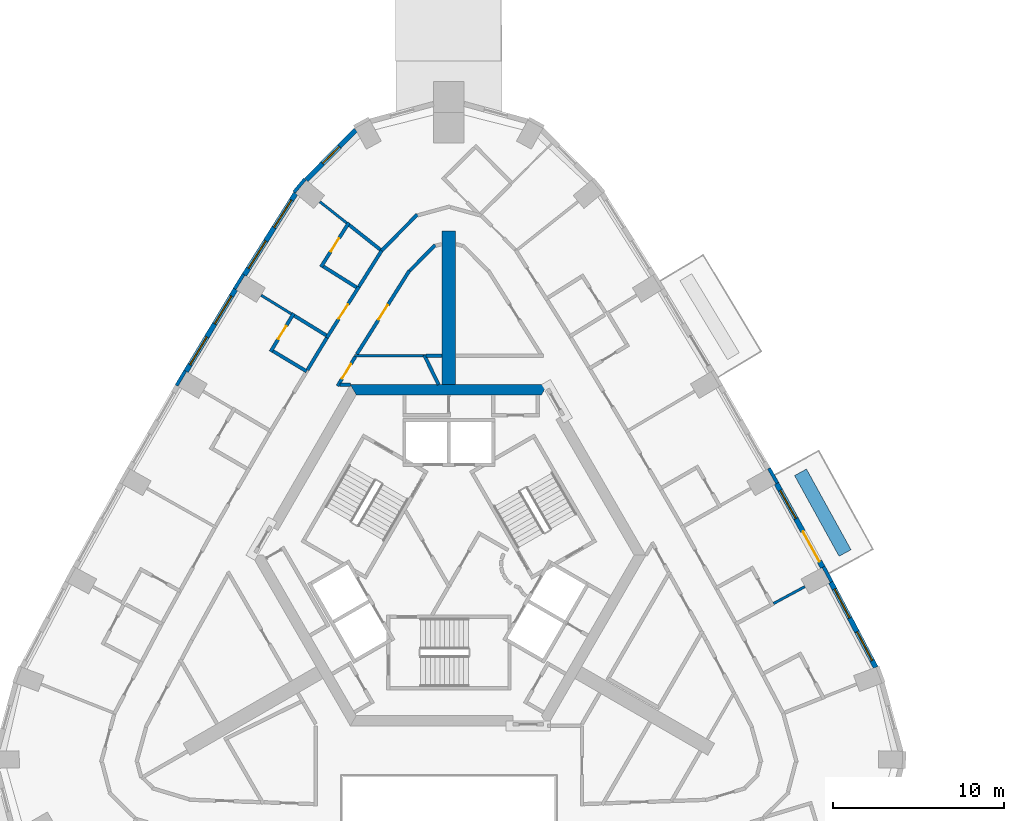
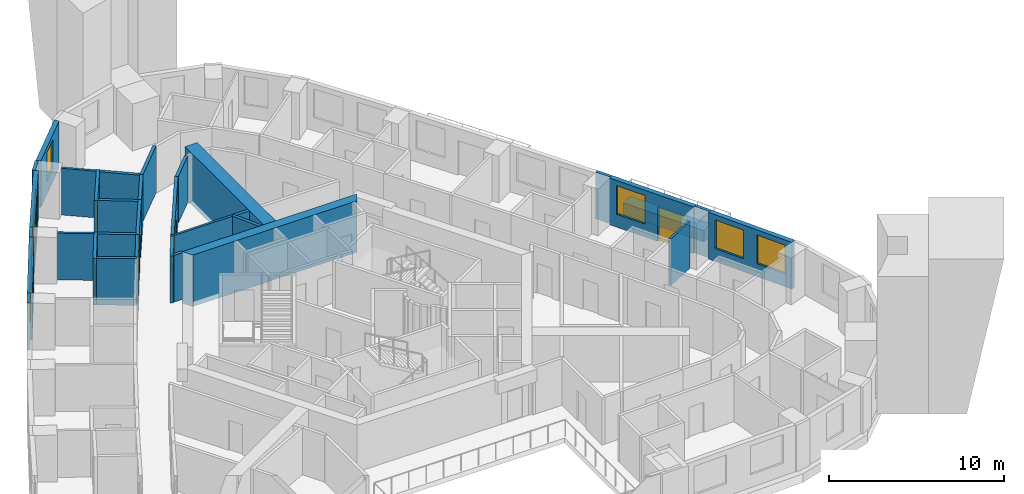
# One storey, part 9 of 14: 33 walls, 8 windows, 6 doors, 14 openings.
"""IFC4 building model written with IfcOpenShell, lengths in metres."""

from ifc_helpers import new_model, si_unit, direction, frame, frame_2d, origin, place, context, subcontext, project, spatial, polyline, rectangle, outline, extrude, material, layer, layer_set, type_object, element, fill, save


model = new_model("IFC4")

# Units and contexts
model_context = context("Model", 3, precision=1e-05, world=origin(), true_north=direction((0.0, 1.0)))
body_context = subcontext(model_context, "Body", "Model", "MODEL_VIEW")
ifc_project = project(units=[si_unit("LENGTHUNIT", "METRE"), si_unit("AREAUNIT", "SQUARE_METRE"), si_unit("VOLUMEUNIT", "CUBIC_METRE"), si_unit("PLANEANGLEUNIT", "RADIAN"), si_unit("MASSUNIT", "GRAM", prefix="KILO")], contexts=[model_context])

# Site, building, storey
site_placement = place(None, origin())
site = spatial("IfcSite", under=ifc_project, at=site_placement, CompositionType="ELEMENT")
building_placement = place(site_placement, origin())
building = spatial("IfcBuilding", under=site, at=building_placement, Name="Entoto Arch Interchange Tower", CompositionType="ELEMENT")
storey_placement = place(building_placement, frame((0.0, 0.0, 252.199951171875)))
storey = spatial("IfcBuildingStorey", under=building, at=storey_placement, Name="L57", CompositionType="ELEMENT", Elevation=252.199951171875)

# Walls
ifc_material_1 = material(Name="Concrete C40/50", Category="concrete")
ifc_layer_1 = layer(ifc_material_1, 0.800048828125)
ifc_layer_set_1 = layer_set([ifc_layer_1], Name="Concrete C40/50")
wall_type_1 = type_object("IfcWallType", Name="Buttress wall 800 C40/50", PredefinedType="SHEAR", material=ifc_layer_set_1)
wall_1_placement = place(storey_placement, frame((0.0, 12.5, -0.33984375), z_axis=(0.0, 0.0, 1.0), x_axis=(0.0, 1.0, 0.0)))
element("IfcWall", 1, at=wall_1_placement, inside=storey, type_object=wall_type_1, Name="Buttress wall N L57", PredefinedType="SHEAR", context=body_context, shape_type="SweptSolid", body=[
    extrude(rectangle(XDim=9.0, YDim=0.800048828125, at=frame_2d((4.5, 0.0))), origin(), (0.0, 0.0, 1.0), 3.599853515625),
])
ifc_layer_2 = layer(ifc_material_1, 0.60009765625)
ifc_layer_set_2 = layer_set([ifc_layer_2], Name="Concrete C40/50")
wall_type_2 = type_object("IfcWallType", Name="Core wall 600 C40/50", PredefinedType="SHEAR", material=ifc_layer_set_2)
wall_2_placement = place(storey_placement, frame((0.0, 0.0, -0.33984375)))
element("IfcWall", 2, at=wall_2_placement, inside=storey, type_object=wall_type_2, Name="Core wall N L57", PredefinedType="SHEAR", context=body_context, shape_type="SweptSolid", body=[
    extrude(outline(polyline([(5.77392578125, 12.5), (-5.77392578125, 12.5), (-5.427001953125, 11.89990234375), (5.427001953125, 11.89990234375), (5.77392578125, 12.5)])), origin(), (0.0, 0.0, 1.0), 3.599853515625),
])
ifc_material_2 = material(Name="Gypsum board partition on steel studs", Category="steel")
ifc_layer_3 = layer(ifc_material_2, 0.14990234375)
ifc_layer_set_3 = layer_set([ifc_layer_3], Name="Gypsum board partition on steel studs")
wall_type_3 = type_object("IfcWallType", Name="PARTITION 150", PredefinedType="PARTITIONING", material=ifc_layer_set_3)
wall_3_placement = place(storey_placement, frame((-1.333984375, 14.199951171875, 0.0), z_axis=(0.0, 0.0, 1.0), x_axis=(-1.0, 0.0, 0.0)))
element("IfcWall", 3, at=wall_3_placement, inside=storey, type_object=wall_type_3, Name="wall:L57:p089", PredefinedType="PARTITIONING", context=body_context, shape_type="SweptSolid", body=[
    extrude(rectangle(XDim=4.208984375, YDim=0.14990234375, at=frame_2d((2.1044921875, 0.0))), origin(), (0.0, 0.0, 1.0), 3.260009765625),
])
wall_4_placement = place(storey_placement, frame((19.02294921875, -0.330078125, 0.0), z_axis=(0.0, 0.0, 1.0), x_axis=(0.880158309515, 0.474680261009, 0.0)))
element("IfcWall", 4, at=wall_4_placement, inside=storey, type_object=wall_type_3, Name="wall:L57:p134", PredefinedType="PARTITIONING", context=body_context, shape_type="SweptSolid", body=[
    extrude(rectangle(XDim=2.08154296875, YDim=0.14990234375, at=frame_2d((1.040771484375, 0.0))), origin(), (0.0, 0.0, 1.0), 3.260009765625),
])
wall_5_placement = place(storey_placement, frame((-5.989990234375, 21.969970703125, 0.0), z_axis=(0.0, 0.0, 1.0), x_axis=(-0.783573405437, 0.621299218003, 0.0)))
element("IfcWall", 5, at=wall_5_placement, inside=storey, type_object=wall_type_3, Name="wall:L57:p155", PredefinedType="PARTITIONING", context=body_context, shape_type="SweptSolid", body=[
    extrude(rectangle(XDim=2.00244140625, YDim=0.14990234375, at=frame_2d((1.001220703125, 0.0))), origin(), (0.0, 0.0, 1.0), 3.260009765625),
])
wall_6_placement = place(storey_placement, frame((-9.22509765625, 16.64111328125, 0.0), z_axis=(0.0, 0.0, 1.0), x_axis=(-0.85144868382, 0.524437926566, 0.0)))
element("IfcWall", 6, at=wall_6_placement, inside=storey, type_object=wall_type_3, Name="wall:L57:p159", PredefinedType="PARTITIONING", context=body_context, shape_type="SweptSolid", body=[
    extrude(rectangle(XDim=2.080078125, YDim=0.14990234375, at=frame_2d((1.0400390625, 0.0))), origin(), (0.0, 0.0, 1.0), 3.260009765625),
])
ifc_layer_4 = layer(ifc_material_2, 0.199951171875)
ifc_layer_set_4 = layer_set([ifc_layer_4], Name="Gypsum board partition on steel studs")
wall_type_4 = type_object("IfcWallType", Name="PARTITION 200", PredefinedType="PARTITIONING", material=ifc_layer_set_4)
wall_7_placement = place(storey_placement, frame((-0.60009765625, 12.5, 0.0), z_axis=(0.0, 0.0, 1.0), x_axis=(-0.440531456598, 0.897737175206, 0.0)))
element("IfcWall", 7, at=wall_7_placement, inside=storey, type_object=wall_type_4, Name="wall:L57:p001", PredefinedType="PARTITIONING", context=body_context, shape_type="SweptSolid", body=[
    extrude(rectangle(XDim=1.91796875, YDim=0.199951171875, at=frame_2d((0.958984375, 0.0))), origin(), (0.0, 0.0, 1.0), 3.260009765625),
])

# Wall, opening, door
wall_8_placement = place(storey_placement, frame((-5.48193359375, 14.135986328125, 0.0), z_axis=(0.0, 0.0, 1.0), x_axis=(-0.516156559549, -0.856494253357, 0.0)))
wall_8 = element("IfcWall", 8, at=wall_8_placement, inside=storey, type_object=wall_type_4, Name="wall:L57:p002", PredefinedType="PARTITIONING", context=body_context, shape_type="SweptSolid", body=[
    extrude(rectangle(XDim=2.00927734375, YDim=0.199951171875, at=frame_2d((1.004638671875, 0.0))), origin(), (0.0, 0.0, 1.0), 3.260009765625),
])
opening_1_placement = place(wall_8_placement, frame((0.50390625, 0.0, 0.0)))
opening_1 = element("IfcOpeningElement", 9, at=opening_1_placement, cuts=wall_8, Name="Opening L57-D44", PredefinedType="OPENING", context=body_context, shape_type="SweptSolid", body=[
    extrude(rectangle(XDim=1.0, YDim=2.10009765625, at=frame_2d((0.5, 1.050048828125))), frame((0.0, 0.10986328125, 0.0), z_axis=(0.0, -1.0, 0.0), x_axis=(1.0, 0.0, 0.0)), (0.0, 0.0, 1.0), 0.219970703125),
])
ifc_material_3 = material(Name="Timber door leaf in Steel S235 frame", Category="steel")
door_type_1 = type_object("IfcDoorType", Name="DOOR DS-10 1000x2100", OperationType="SINGLE_SWING_LEFT", PredefinedType="DOOR", material=ifc_material_3)
door_1_placement = place(opening_1_placement, origin())
door_1 = element("IfcDoor", 10, at=door_1_placement, inside=storey, type_object=door_type_1, Name="door:L57:44", OperationType="SINGLE_SWING_LEFT", OverallHeight=2.10009765625, OverallWidth=1.0, PredefinedType="DOOR", context=body_context, shape_type="SweptSolid", body=[
    extrude(rectangle(XDim=1.0, YDim=2.10009765625, at=frame_2d((0.5, 1.050048828125))), frame((0.0, 0.02490234375, 0.0), z_axis=(0.0, -1.0, 0.0), x_axis=(1.0, 0.0, 0.0)), (0.0, 0.0, 1.0), 0.050048828125),
])
fill(opening_1, door_1)

# Walls
wall_9_placement = place(storey_placement, frame((-6.366943359375, 12.5009765625, 0.0), z_axis=(0.0, 0.0, 1.0), x_axis=(1.0, 0.0, 0.0)))
element("IfcWall", 11, at=wall_9_placement, inside=storey, type_object=wall_type_4, Name="wall:L57:p003", PredefinedType="PARTITIONING", context=body_context, shape_type="SweptSolid", body=[
    extrude(rectangle(XDim=0.595947265625, YDim=0.199951171875, at=frame_2d((0.2978515625, 0.0))), origin(), (0.0, 0.0, 1.0), 3.260009765625),
])
wall_10_placement = place(storey_placement, frame((-1.333984375, 14.199951171875, 0.0), z_axis=(0.0, 0.0, 1.0), x_axis=(1.0, 0.0, 0.0)))
element("IfcWall", 12, at=wall_10_placement, inside=storey, type_object=wall_type_4, Name="wall:L57:p010", PredefinedType="PARTITIONING", context=body_context, shape_type="SweptSolid", body=[
    extrude(rectangle(XDim=0.93408203125, YDim=0.199951171875, at=frame_2d((0.467041015625, 0.0))), origin(), (0.0, 0.0, 1.0), 3.260009765625),
])
wall_11_placement = place(storey_placement, frame((-0.804931640625, 20.677001953125, 0.0), z_axis=(0.0, 0.0, 1.0), x_axis=(-0.70213913596, -0.712039769784, 0.0)))
element("IfcWall", 13, at=wall_11_placement, inside=storey, type_object=wall_type_4, Name="wall:L57:p012", PredefinedType="PARTITIONING", context=body_context, shape_type="SweptSolid", body=[
    extrude(rectangle(XDim=2.12060546875, YDim=0.199951171875, at=frame_2d((1.060302734375, 0.0))), origin(), (0.0, 0.0, 1.0), 3.260009765625),
])

# Wall, opening, door
wall_12_placement = place(storey_placement, frame((-2.31103515625, 19.180908203125, 0.0), z_axis=(0.0, 0.0, 1.0), x_axis=(-0.532551510955, -0.846397594621, 0.0)))
wall_12 = element("IfcWall", 14, at=wall_12_placement, inside=storey, type_object=wall_type_4, Name="wall:L57:p013", PredefinedType="PARTITIONING", context=body_context, shape_type="SweptSolid", body=[
    extrude(rectangle(XDim=5.7890625, YDim=0.199951171875, at=frame_2d((2.89453125, 0.0))), origin(), (0.0, 0.0, 1.0), 3.260009765625),
])
opening_2_placement = place(wall_12_placement, frame((2.39404296875, 0.0, 0.0)))
opening_2 = element("IfcOpeningElement", 15, at=opening_2_placement, cuts=wall_12, Name="Opening L57-D39", PredefinedType="OPENING", context=body_context, shape_type="SweptSolid", body=[
    extrude(rectangle(XDim=1.0, YDim=2.10009765625, at=frame_2d((0.5, 1.050048828125))), frame((0.0, 0.10986328125, 0.0), z_axis=(0.0, -1.0, 0.0), x_axis=(1.0, 0.0, 0.0)), (0.0, 0.0, 1.0), 0.219970703125),
])
door_2_placement = place(opening_2_placement, origin())
door_2 = element("IfcDoor", 16, at=door_2_placement, inside=storey, type_object=door_type_1, Name="door:L57:39", OperationType="SINGLE_SWING_LEFT", OverallHeight=2.10009765625, OverallWidth=1.0, PredefinedType="DOOR", context=body_context, shape_type="SweptSolid", body=[
    extrude(rectangle(XDim=1.0, YDim=2.10009765625, at=frame_2d((0.5, 1.050048828125))), frame((0.0, 0.02490234375, 0.0), z_axis=(0.0, -1.0, 0.0), x_axis=(1.0, 0.0, 0.0)), (0.0, 0.0, 1.0), 0.050048828125),
])
fill(opening_2, door_2)

# Wall
wall_13_placement = place(storey_placement, frame((-4.011962890625, 20.27490234375, 0.0), z_axis=(0.0, 0.0, 1.0), x_axis=(0.702488437915, 0.711695155664, 0.0)))
element("IfcWall", 17, at=wall_13_placement, inside=storey, type_object=wall_type_4, Name="wall:L57:p053", PredefinedType="PARTITIONING", context=body_context, shape_type="SweptSolid", body=[
    extrude(rectangle(XDim=3.075927734375, YDim=0.199951171875, at=frame_2d((1.5380859375, 0.0))), origin(), (0.0, 0.0, 1.0), 3.260009765625),
])

# Wall, opening, door
wall_14_placement = place(storey_placement, frame((-7.14990234375, 15.24609375, 0.0), z_axis=(0.0, 0.0, 1.0), x_axis=(0.532449518014, 0.846461759778, 0.0)))
wall_14 = element("IfcWall", 18, at=wall_14_placement, inside=storey, type_object=wall_type_4, Name="wall:L57:p056", PredefinedType="PARTITIONING", context=body_context, shape_type="SweptSolid", body=[
    extrude(rectangle(XDim=3.525146484375, YDim=0.199951171875, at=frame_2d((1.7626953125, 0.0))), origin(), (0.0, 0.0, 1.0), 3.260009765625),
])
opening_3_placement = place(wall_14_placement, frame((1.31298828125, 0.0, 0.0)))
opening_3 = element("IfcOpeningElement", 19, at=opening_3_placement, cuts=wall_14, Name="Opening L57-D19", PredefinedType="OPENING", context=body_context, shape_type="SweptSolid", body=[
    extrude(rectangle(XDim=1.0, YDim=2.10009765625, at=frame_2d((0.5, 1.050048828125))), frame((0.0, 0.10986328125, 0.0), z_axis=(0.0, -1.0, 0.0), x_axis=(1.0, 0.0, 0.0)), (0.0, 0.0, 1.0), 0.219970703125),
])
ifc_material_4 = material(Name="Fire-rated Steel S235 door and frame", Category="steel")
door_type_2 = type_object("IfcDoorType", Name="DOOR FD-10 1000x2100", OperationType="SINGLE_SWING_LEFT", PredefinedType="DOOR", material=ifc_material_4)
door_3_placement = place(opening_3_placement, origin())
door_3 = element("IfcDoor", 20, at=door_3_placement, inside=storey, type_object=door_type_2, Name="door:L57:19", OperationType="SINGLE_SWING_RIGHT", OverallHeight=2.10009765625, OverallWidth=1.0, PredefinedType="DOOR", context=body_context, shape_type="SweptSolid", body=[
    extrude(rectangle(XDim=1.0, YDim=2.10009765625, at=frame_2d((0.5, 1.050048828125))), frame((0.0, 0.02490234375, 0.0), z_axis=(0.0, -1.0, 0.0), x_axis=(1.0, 0.0, 0.0)), (0.0, 0.0, 1.0), 0.050048828125),
])
fill(opening_3, door_3)

# Walls
wall_15_placement = place(storey_placement, frame((-5.27294921875, 18.22998046875, 0.0), z_axis=(0.0, 0.0, 1.0), x_axis=(0.532743344325, 0.846276863135, 0.0)))
element("IfcWall", 21, at=wall_15_placement, inside=storey, type_object=wall_type_4, Name="wall:L57:p057", PredefinedType="PARTITIONING", context=body_context, shape_type="SweptSolid", body=[
    extrude(rectangle(XDim=2.500244140625, YDim=0.199951171875, at=frame_2d((1.25, 0.0))), origin(), (0.0, 0.0, 1.0), 3.260009765625),
])
wall_16_placement = place(storey_placement, frame((-8.283935546875, 13.361083984375, 0.0), z_axis=(0.0, 0.0, 1.0), x_axis=(0.516354965559, 0.856374654893, 0.0)))
element("IfcWall", 22, at=wall_16_placement, inside=storey, type_object=wall_type_4, Name="wall:L57:p059", PredefinedType="PARTITIONING", context=body_context, shape_type="SweptSolid", body=[
    extrude(rectangle(XDim=2.199951171875, YDim=0.199951171875, at=frame_2d((1.10009765625, 0.0))), origin(), (0.0, 0.0, 1.0), 3.260009765625),
])
wall_17_placement = place(storey_placement, frame((-4.02001953125, 20.407958984375, 0.0), z_axis=(0.0, 0.0, 1.0), x_axis=(-0.783681902275, 0.621162358846, 0.0)))
element("IfcWall", 23, at=wall_17_placement, inside=storey, type_object=wall_type_4, Name="wall:L57:p156", PredefinedType="PARTITIONING", context=body_context, shape_type="SweptSolid", body=[
    extrude(rectangle(XDim=2.3134765625, YDim=0.199951171875, at=frame_2d((1.15673828125, 0.0))), origin(), (0.0, 0.0, 1.0), 3.260009765625),
])

# Wall, opening, door
wall_18_placement = place(storey_placement, frame((-5.85791015625, 21.991943359375, 0.0), z_axis=(0.0, 0.0, 1.0), x_axis=(-0.532874387162, -0.846194355634, 0.0)))
wall_18 = element("IfcWall", 24, at=wall_18_placement, inside=storey, type_object=wall_type_4, Name="wall:L57:p157", PredefinedType="PARTITIONING", context=body_context, shape_type="SweptSolid", body=[
    extrude(rectangle(XDim=3.072509765625, YDim=0.199951171875, at=frame_2d((1.5361328125, 0.0))), origin(), (0.0, 0.0, 1.0), 3.260009765625),
])
opening_4_placement = place(wall_18_placement, frame((1.0859375, 0.0, 0.0)))
opening_4 = element("IfcOpeningElement", 25, at=opening_4_placement, cuts=wall_18, Name="Opening L57-D20", PredefinedType="OPENING", context=body_context, shape_type="SweptSolid", body=[
    extrude(rectangle(XDim=0.89990234375, YDim=2.10009765625, at=frame_2d((0.449951171875, 1.050048828125))), frame((0.0, 0.10986328125, 0.0), z_axis=(0.0, -1.0, 0.0), x_axis=(1.0, 0.0, 0.0)), (0.0, 0.0, 1.0), 0.219970703125),
])
door_type_3 = type_object("IfcDoorType", Name="DOOR DS-09 900x2100", OperationType="SINGLE_SWING_LEFT", PredefinedType="DOOR", material=ifc_material_3)
door_4_placement = place(opening_4_placement, origin())
door_4 = element("IfcDoor", 26, at=door_4_placement, inside=storey, type_object=door_type_3, Name="door:L57:20", OperationType="SINGLE_SWING_LEFT", OverallHeight=2.10009765625, OverallWidth=0.89990234375, PredefinedType="DOOR", context=body_context, shape_type="SweptSolid", body=[
    extrude(rectangle(XDim=0.89990234375, YDim=2.10009765625, at=frame_2d((0.449951171875, 1.050048828125))), frame((0.0, 0.02490234375, 0.0), z_axis=(0.0, -1.0, 0.0), x_axis=(1.0, 0.0, 0.0)), (0.0, 0.0, 1.0), 0.050048828125),
])
fill(opening_4, door_4)

# Walls
wall_19_placement = place(storey_placement, frame((-7.35693359375, 19.423095703125, 0.0), z_axis=(0.0, 0.0, 1.0), x_axis=(0.846270070045, -0.532754135176, 0.0)))
element("IfcWall", 27, at=wall_19_placement, inside=storey, type_object=wall_type_4, Name="wall:L57:p158", PredefinedType="PARTITIONING", context=body_context, shape_type="SweptSolid", body=[
    extrude(rectangle(XDim=2.299560546875, YDim=0.199951171875, at=frame_2d((1.14990234375, 0.0))), origin(), (0.0, 0.0, 1.0), 3.260009765625),
])
wall_20_placement = place(storey_placement, frame((-7.181884765625, 15.383056640625, 0.0), z_axis=(0.0, 0.0, 1.0), x_axis=(-0.851498142432, 0.524357619792, 0.0)))
element("IfcWall", 28, at=wall_20_placement, inside=storey, type_object=wall_type_4, Name="wall:L57:p160", PredefinedType="PARTITIONING", context=body_context, shape_type="SweptSolid", body=[
    extrude(rectangle(XDim=2.198486328125, YDim=0.199951171875, at=frame_2d((1.09912109375, 0.0))), origin(), (0.0, 0.0, 1.0), 3.260009765625),
])

# Wall, opening, door
wall_21_placement = place(storey_placement, frame((-9.087890625, 16.674072265625, 0.0), z_axis=(0.0, 0.0, 1.0), x_axis=(-0.516780274192, -0.856118069081, 0.0)))
wall_21 = element("IfcWall", 29, at=wall_21_placement, inside=storey, type_object=wall_type_4, Name="wall:L57:p161", PredefinedType="PARTITIONING", context=body_context, shape_type="SweptSolid", body=[
    extrude(rectangle(XDim=2.62255859375, YDim=0.199951171875, at=frame_2d((1.311279296875, 0.0))), origin(), (0.0, 0.0, 1.0), 3.260009765625),
])
opening_5_placement = place(wall_21_placement, frame((0.861083984375, 0.0, 0.0)))
opening_5 = element("IfcOpeningElement", 30, at=opening_5_placement, cuts=wall_21, Name="Opening L57-D22", PredefinedType="OPENING", context=body_context, shape_type="SweptSolid", body=[
    extrude(rectangle(XDim=0.89990234375, YDim=2.10009765625, at=frame_2d((0.449951171875, 1.050048828125))), frame((0.0, 0.10986328125, 0.0), z_axis=(0.0, -1.0, 0.0), x_axis=(1.0, 0.0, 0.0)), (0.0, 0.0, 1.0), 0.219970703125),
])
door_5_placement = place(opening_5_placement, origin())
door_5 = element("IfcDoor", 31, at=door_5_placement, inside=storey, type_object=door_type_3, Name="door:L57:22", OperationType="SINGLE_SWING_LEFT", OverallHeight=2.10009765625, OverallWidth=0.89990234375, PredefinedType="DOOR", context=body_context, shape_type="SweptSolid", body=[
    extrude(rectangle(XDim=0.89990234375, YDim=2.10009765625, at=frame_2d((0.449951171875, 1.050048828125))), frame((0.0, 0.02490234375, 0.0), z_axis=(0.0, -1.0, 0.0), x_axis=(1.0, 0.0, 0.0)), (0.0, 0.0, 1.0), 0.050048828125),
])
fill(opening_5, door_5)

# Walls
wall_22_placement = place(storey_placement, frame((-10.305908203125, 14.462890625, 0.0), z_axis=(0.0, 0.0, 1.0), x_axis=(0.856338986581, -0.51641411683, 0.0)))
element("IfcWall", 32, at=wall_22_placement, inside=storey, type_object=wall_type_4, Name="wall:L57:p162", PredefinedType="PARTITIONING", context=body_context, shape_type="SweptSolid", body=[
    extrude(rectangle(XDim=2.300537109375, YDim=0.199951171875, at=frame_2d((1.150390625, 0.0))), origin(), (0.0, 0.0, 1.0), 3.260009765625),
])
ifc_material_5 = material(Name="Board-marked precast concrete C50/60", Category="concrete")
ifc_layer_5 = layer(ifc_material_5, 0.800048828125)
ifc_layer_set_5 = layer_set([ifc_layer_5], Name="Board-marked precast concrete C50/60")
wall_type_5 = type_object("IfcWallType", Name="PLANTER RC 800 Afrocarpus falcatus", PredefinedType="STANDARD", material=ifc_layer_set_5)
wall_23_placement = place(storey_placement, frame((23.215087890625, 2.6298828125, 0.0), z_axis=(0.0, 0.0, 1.0), x_axis=(-0.483262482812, 0.87547551234, 0.0)))
element("IfcWall", 33, at=wall_23_placement, inside=storey, type_object=wall_type_5, Name="Planter NE-02 L57", PredefinedType="STANDARD", context=body_context, shape_type="SweptSolid", body=[
    extrude(rectangle(XDim=5.403076171875, YDim=0.800048828125, at=frame_2d((2.70166015625, 0.0))), origin(), (0.0, 0.0, 1.0), 0.800048828125),
])

# Wall, openings, windows
ifc_material_6 = material(Name="Welded tuff (ignimbrite) cladding, warm buff", Category="masonry")
ifc_layer_6 = layer(ifc_material_6, 0.300048828125)
ifc_layer_set_6 = layer_set([ifc_layer_6], Name="Welded tuff (ignimbrite) cladding, warm buff")
wall_type_6 = type_object("IfcWallType", Name="STONE INFILL WALL 300", PredefinedType="STANDARD", material=ifc_layer_set_6)
wall_24_placement = place(storey_placement, frame((25.011962890625, -4.070068359375, 0.0), z_axis=(0.0, 0.0, 1.0), x_axis=(-0.466663589714, 0.884434900959, 0.0)))
wall_24 = element("IfcWall", 34, at=wall_24_placement, inside=storey, type_object=wall_type_6, Name="Facade wall NE-01 L57", PredefinedType="STANDARD", context=body_context, shape_type="SweptSolid", body=[
    extrude(rectangle(XDim=5.6376953125, YDim=0.300048828125, at=frame_2d((2.81884765625, 0.0))), origin(), (0.0, 0.0, 1.0), 3.260009765625),
])
opening_6_placement = place(wall_24_placement, frame((0.458984375, 0.0, 0.89990234375)))
opening_6 = element("IfcOpeningElement", 35, at=opening_6_placement, cuts=wall_24, Name="Opening WH-C", PredefinedType="OPENING", context=body_context, shape_type="SweptSolid", body=[
    extrude(rectangle(XDim=1.89990234375, YDim=2.0, at=frame_2d((0.949951171875, 1.0))), frame((0.0, 0.16015625, 0.0), z_axis=(0.0, -1.0, 0.0), x_axis=(1.0, 0.0, 0.0)), (0.0, 0.0, 1.0), 0.320068359375),
])
opening_7_placement = place(wall_24_placement, frame((3.278076171875, 0.0, 0.89990234375)))
opening_7 = element("IfcOpeningElement", 36, at=opening_7_placement, cuts=wall_24, Name="Opening WH-C", PredefinedType="OPENING", context=body_context, shape_type="SweptSolid", body=[
    extrude(rectangle(XDim=1.89990234375, YDim=2.0, at=frame_2d((0.949951171875, 1.0))), frame((0.0, 0.16015625, 0.0), z_axis=(0.0, -1.0, 0.0), x_axis=(1.0, 0.0, 0.0)), (0.0, 0.0, 1.0), 0.320068359375),
])
ifc_material_7 = material(Name="Clear glass, low-e double glazed", Category="glass")
window_type_1 = type_object("IfcWindowType", Name="WINDOW WH-C 1900x2000", PartitioningType="DOUBLE_PANEL_VERTICAL", PredefinedType="WINDOW", material=ifc_material_7)
window_1_placement = place(opening_6_placement, origin())
window_1 = element("IfcWindow", 37, at=window_1_placement, inside=storey, type_object=window_type_1, Name="Window WH-C NE-01 L57", OverallHeight=2.0, OverallWidth=1.89990234375, PartitioningType="SINGLE_PANEL", PredefinedType="WINDOW", context=body_context, shape_type="SweptSolid", body=[
    extrude(rectangle(XDim=1.89990234375, YDim=2.0, at=frame_2d((0.949951171875, 1.0))), frame((0.0, 0.030029296875, 0.0), z_axis=(0.0, -1.0, 0.0), x_axis=(1.0, 0.0, 0.0)), (0.0, 0.0, 1.0), 0.06005859375),
])
fill(opening_6, window_1)
window_2_placement = place(opening_7_placement, origin())
window_2 = element("IfcWindow", 38, at=window_2_placement, inside=storey, type_object=window_type_1, Name="Window WH-C NE-01 L57", OverallHeight=2.0, OverallWidth=1.89990234375, PartitioningType="SINGLE_PANEL", PredefinedType="WINDOW", context=body_context, shape_type="SweptSolid", body=[
    extrude(rectangle(XDim=1.89990234375, YDim=2.0, at=frame_2d((0.949951171875, 1.0))), frame((0.0, 0.030029296875, 0.0), z_axis=(0.0, -1.0, 0.0), x_axis=(1.0, 0.0, 0.0)), (0.0, 0.0, 1.0), 0.06005859375),
])
fill(opening_7, window_2)

# Wall, openings, door, window
wall_25_placement = place(storey_placement, frame((21.906982421875, 1.7939453125, 0.0), z_axis=(0.0, 0.0, 1.0), x_axis=(-0.483469062695, 0.875361448441, 0.0)))
wall_25 = element("IfcWall", 39, at=wall_25_placement, inside=storey, type_object=wall_type_6, Name="Facade wall NE-02 L57", PredefinedType="STANDARD", context=body_context, shape_type="SweptSolid", body=[
    extrude(rectangle(XDim=5.601318359375, YDim=0.300048828125, at=frame_2d((2.80078125, 0.0))), origin(), (0.0, 0.0, 1.0), 3.260009765625),
])
opening_8_placement = place(wall_25_placement, frame((0.39990234375, 0.0, 0.0)))
opening_8 = element("IfcOpeningElement", 40, at=opening_8_placement, cuts=wall_25, Name="Opening DB-NE-02-L57", PredefinedType="OPENING", context=body_context, shape_type="SweptSolid", body=[
    extrude(rectangle(XDim=2.0, YDim=2.39990234375, at=frame_2d((1.0, 1.199951171875))), frame((0.0, 0.16015625, 0.0), z_axis=(0.0, -1.0, 0.0), x_axis=(1.0, 0.0, 0.0)), (0.0, 0.0, 1.0), 0.320068359375),
])
opening_9_placement = place(wall_25_placement, frame((3.2509765625, 0.0, 0.89990234375)))
opening_9 = element("IfcOpeningElement", 41, at=opening_9_placement, cuts=wall_25, Name="Opening WH-C", PredefinedType="OPENING", context=body_context, shape_type="SweptSolid", body=[
    extrude(rectangle(XDim=1.89990234375, YDim=2.0, at=frame_2d((0.949951171875, 1.0))), frame((0.0, 0.16015625, 0.0), z_axis=(0.0, -1.0, 0.0), x_axis=(1.0, 0.0, 0.0)), (0.0, 0.0, 1.0), 0.320068359375),
])
ifc_material_8 = material(Name="Aluminium and clear glass, anodised", Category="aluminium")
door_type_4 = type_object("IfcDoorType", Name="BALCONY DOOR DB 2000x2400", OperationType="SLIDING_TO_LEFT", PredefinedType="DOOR", material=ifc_material_8)
door_6_placement = place(opening_8_placement, origin())
door_6 = element("IfcDoor", 42, at=door_6_placement, inside=storey, type_object=door_type_4, Name="Balcony door NE-02 L57", OperationType="SLIDING_TO_LEFT", OverallHeight=2.39990234375, OverallWidth=2.0, PredefinedType="DOOR", context=body_context, shape_type="SweptSolid", body=[
    extrude(rectangle(XDim=2.0, YDim=2.39990234375, at=frame_2d((1.0, 1.199951171875))), frame((0.0, 0.02490234375, 0.0), z_axis=(0.0, -1.0, 0.0), x_axis=(1.0, 0.0, 0.0)), (0.0, 0.0, 1.0), 0.050048828125),
])
fill(opening_8, door_6)
window_3_placement = place(opening_9_placement, origin())
window_3 = element("IfcWindow", 43, at=window_3_placement, inside=storey, type_object=window_type_1, Name="Window WH-C NE-02 L57", OverallHeight=2.0, OverallWidth=1.89990234375, PartitioningType="SINGLE_PANEL", PredefinedType="WINDOW", context=body_context, shape_type="SweptSolid", body=[
    extrude(rectangle(XDim=1.89990234375, YDim=2.0, at=frame_2d((0.949951171875, 1.0))), frame((0.0, 0.030029296875, 0.0), z_axis=(0.0, -1.0, 0.0), x_axis=(1.0, 0.0, 0.0)), (0.0, 0.0, 1.0), 0.06005859375),
])
fill(opening_9, window_3)

# Wall, opening, window
wall_26_placement = place(storey_placement, frame((-5.455078125, 27.424072265625, 0.0), z_axis=(0.0, 0.0, 1.0), x_axis=(-0.702488411246, -0.711695181989, 0.0)))
wall_26 = element("IfcWall", 44, at=wall_26_placement, inside=storey, type_object=wall_type_6, Name="Facade wall N-04 L57", PredefinedType="STANDARD", context=body_context, shape_type="SweptSolid", body=[
    extrude(rectangle(XDim=4.13671875, YDim=0.300048828125, at=frame_2d((2.068359375, 0.0))), origin(), (0.0, 0.0, 1.0), 3.260009765625),
])
opening_10_placement = place(wall_26_placement, frame((1.367919921875, 0.0, 0.89990234375)))
opening_10 = element("IfcOpeningElement", 45, at=opening_10_placement, cuts=wall_26, Name="Opening WH-B", PredefinedType="OPENING", context=body_context, shape_type="SweptSolid", body=[
    extrude(rectangle(XDim=1.39990234375, YDim=2.0, at=frame_2d((0.699951171875, 1.0))), frame((0.0, 0.16015625, 0.0), z_axis=(0.0, -1.0, 0.0), x_axis=(1.0, 0.0, 0.0)), (0.0, 0.0, 1.0), 0.320068359375),
])
window_type_2 = type_object("IfcWindowType", Name="WINDOW WH-B 1400x2000", PartitioningType="DOUBLE_PANEL_VERTICAL", PredefinedType="WINDOW", material=ifc_material_7)
window_4_placement = place(opening_10_placement, origin())
window_4 = element("IfcWindow", 46, at=window_4_placement, inside=storey, type_object=window_type_2, Name="Window WH-B N-04 L57", OverallHeight=2.0, OverallWidth=1.39990234375, PartitioningType="SINGLE_PANEL", PredefinedType="WINDOW", context=body_context, shape_type="SweptSolid", body=[
    extrude(rectangle(XDim=1.39990234375, YDim=2.0, at=frame_2d((0.699951171875, 1.0))), frame((0.0, 0.030029296875, 0.0), z_axis=(0.0, -1.0, 0.0), x_axis=(1.0, 0.0, 0.0)), (0.0, 0.0, 1.0), 0.06005859375),
])
fill(opening_10, window_4)

# Wall, openings, windows
wall_27_placement = place(storey_placement, frame((-8.98095703125, 23.697021484375, 0.0), z_axis=(0.0, 0.0, 1.0), x_axis=(-0.532558226688, -0.846393369059, 0.0)))
wall_27 = element("IfcWall", 47, at=wall_27_placement, inside=storey, type_object=wall_type_6, Name="Facade wall NW-01 L57", PredefinedType="STANDARD", context=body_context, shape_type="SweptSolid", body=[
    extrude(rectangle(XDim=5.636962890625, YDim=0.300048828125, at=frame_2d((2.818359375, 0.0))), origin(), (0.0, 0.0, 1.0), 3.260009765625),
])
opening_11_placement = place(wall_27_placement, frame((0.458984375, 0.0, 0.89990234375)))
opening_11 = element("IfcOpeningElement", 48, at=opening_11_placement, cuts=wall_27, Name="Opening WH-C", PredefinedType="OPENING", context=body_context, shape_type="SweptSolid", body=[
    extrude(rectangle(XDim=1.89990234375, YDim=2.0, at=frame_2d((0.949951171875, 1.0))), frame((0.0, 0.16015625, 0.0), z_axis=(0.0, -1.0, 0.0), x_axis=(1.0, 0.0, 0.0)), (0.0, 0.0, 1.0), 0.320068359375),
])
opening_12_placement = place(wall_27_placement, frame((3.278076171875, 0.0, 0.89990234375)))
opening_12 = element("IfcOpeningElement", 49, at=opening_12_placement, cuts=wall_27, Name="Opening WH-C", PredefinedType="OPENING", context=body_context, shape_type="SweptSolid", body=[
    extrude(rectangle(XDim=1.89990234375, YDim=2.0, at=frame_2d((0.949951171875, 1.0))), frame((0.0, 0.16015625, 0.0), z_axis=(0.0, -1.0, 0.0), x_axis=(1.0, 0.0, 0.0)), (0.0, 0.0, 1.0), 0.320068359375),
])
window_5_placement = place(opening_11_placement, origin())
window_5 = element("IfcWindow", 50, at=window_5_placement, inside=storey, type_object=window_type_1, Name="Window WH-C NW-01 L57", OverallHeight=2.0, OverallWidth=1.89990234375, PartitioningType="SINGLE_PANEL", PredefinedType="WINDOW", context=body_context, shape_type="SweptSolid", body=[
    extrude(rectangle(XDim=1.89990234375, YDim=2.0, at=frame_2d((0.949951171875, 1.0))), frame((0.0, 0.030029296875, 0.0), z_axis=(0.0, -1.0, 0.0), x_axis=(1.0, 0.0, 0.0)), (0.0, 0.0, 1.0), 0.06005859375),
])
fill(opening_11, window_5)
window_6_placement = place(opening_12_placement, origin())
window_6 = element("IfcWindow", 51, at=window_6_placement, inside=storey, type_object=window_type_1, Name="Window WH-C NW-01 L57", OverallHeight=2.0, OverallWidth=1.89990234375, PartitioningType="SINGLE_PANEL", PredefinedType="WINDOW", context=body_context, shape_type="SweptSolid", body=[
    extrude(rectangle(XDim=1.89990234375, YDim=2.0, at=frame_2d((0.949951171875, 1.0))), frame((0.0, 0.030029296875, 0.0), z_axis=(0.0, -1.0, 0.0), x_axis=(1.0, 0.0, 0.0)), (0.0, 0.0, 1.0), 0.06005859375),
])
fill(opening_12, window_6)

wall_28_placement = place(storey_placement, frame((-12.506103515625, 18.075927734375, 0.0), z_axis=(0.0, 0.0, 1.0), x_axis=(-0.516269519619, -0.856426169096, 0.0)))
wall_28 = element("IfcWall", 52, at=wall_28_placement, inside=storey, type_object=wall_type_6, Name="Facade wall NW-02 L57", PredefinedType="STANDARD", context=body_context, shape_type="SweptSolid", body=[
    extrude(rectangle(XDim=5.603271484375, YDim=0.300048828125, at=frame_2d((2.8017578125, 0.0))), origin(), (0.0, 0.0, 1.0), 3.260009765625),
])
opening_13_placement = place(wall_28_placement, frame((0.450927734375, 0.0, 0.89990234375)))
opening_13 = element("IfcOpeningElement", 53, at=opening_13_placement, cuts=wall_28, Name="Opening WH-C", PredefinedType="OPENING", context=body_context, shape_type="SweptSolid", body=[
    extrude(rectangle(XDim=1.89990234375, YDim=2.0, at=frame_2d((0.949951171875, 1.0))), frame((0.0, 0.16015625, 0.0), z_axis=(0.0, -1.0, 0.0), x_axis=(1.0, 0.0, 0.0)), (0.0, 0.0, 1.0), 0.320068359375),
])
opening_14_placement = place(wall_28_placement, frame((3.2529296875, 0.0, 0.89990234375)))
opening_14 = element("IfcOpeningElement", 54, at=opening_14_placement, cuts=wall_28, Name="Opening WH-C", PredefinedType="OPENING", context=body_context, shape_type="SweptSolid", body=[
    extrude(rectangle(XDim=1.89990234375, YDim=2.0, at=frame_2d((0.949951171875, 1.0))), frame((0.0, 0.16015625, 0.0), z_axis=(0.0, -1.0, 0.0), x_axis=(1.0, 0.0, 0.0)), (0.0, 0.0, 1.0), 0.320068359375),
])
window_7_placement = place(opening_13_placement, origin())
window_7 = element("IfcWindow", 55, at=window_7_placement, inside=storey, type_object=window_type_1, Name="Window WH-C NW-02 L57", OverallHeight=2.0, OverallWidth=1.89990234375, PartitioningType="SINGLE_PANEL", PredefinedType="WINDOW", context=body_context, shape_type="SweptSolid", body=[
    extrude(rectangle(XDim=1.89990234375, YDim=2.0, at=frame_2d((0.949951171875, 1.0))), frame((0.0, 0.030029296875, 0.0), z_axis=(0.0, -1.0, 0.0), x_axis=(1.0, 0.0, 0.0)), (0.0, 0.0, 1.0), 0.06005859375),
])
fill(opening_13, window_7)
window_8_placement = place(opening_14_placement, origin())
window_8 = element("IfcWindow", 56, at=window_8_placement, inside=storey, type_object=window_type_1, Name="Window WH-C NW-02 L57", OverallHeight=2.0, OverallWidth=1.89990234375, PartitioningType="SINGLE_PANEL", PredefinedType="WINDOW", context=body_context, shape_type="SweptSolid", body=[
    extrude(rectangle(XDim=1.89990234375, YDim=2.0, at=frame_2d((0.949951171875, 1.0))), frame((0.0, 0.030029296875, 0.0), z_axis=(0.0, -1.0, 0.0), x_axis=(1.0, 0.0, 0.0)), (0.0, 0.0, 1.0), 0.06005859375),
])
fill(opening_14, window_8)

# Walls
ifc_layer_7 = layer(ifc_material_6, 0.199951171875)
ifc_layer_set_7 = layer_set([ifc_layer_7], Name="Welded tuff (ignimbrite) cladding, warm buff")
wall_type_7 = type_object("IfcWallType", Name="STONE PIER CLADDING 200", PredefinedType="STANDARD", material=ifc_layer_set_7)
for number, where, z_axis, x_axis, name in (
    (57, (22.428955078125, 0.93994140625, 0.0), (0.0, 0.0, 1.0), (-0.473663196434, 0.88070606694, 0.0), "Stone pier NE02 L57"),
    (58, (19.2470703125, 6.722900390625, 0.0), (0.0, 0.0, 1.0), (-0.491928603027, 0.870635543453, 0.0), "Stone pier NE03 L57"),
):
    element("IfcWall", number, at=place(storey_placement, frame(where, z_axis=z_axis, x_axis=x_axis)), inside=storey, type_object=wall_type_7, Name=name, PredefinedType="STANDARD", context=body_context, shape_type="SweptSolid", body=[
        extrude(rectangle(XDim=1.00048828125, YDim=0.199951171875, at=frame_2d((0.500244140625, 0.0))), origin(), (0.0, 0.0, 1.0), 3.260009765625),
    ])
wall_29_placement = place(storey_placement, frame((-8.43310546875, 24.541015625, 0.0), z_axis=(0.0, 0.0, 1.0), x_axis=(-0.637972365578, -0.770059257953, 0.0)))
element("IfcWall", 59, at=wall_29_placement, inside=storey, type_object=wall_type_7, Name="Stone pier NW01 L57", PredefinedType="STANDARD", context=body_context, shape_type="SweptSolid", body=[
    extrude(rectangle(XDim=1.0, YDim=0.199951171875, at=frame_2d((0.5, 0.0))), origin(), (0.0, 0.0, 1.0), 3.260009765625),
])
wall_30_placement = place(storey_placement, frame((-12.028076171875, 18.955078125, 0.0), z_axis=(0.0, 0.0, 1.0), x_axis=(-0.525648735675, -0.850701714282, 0.0)))
element("IfcWall", 60, at=wall_30_placement, inside=storey, type_object=wall_type_7, Name="Stone pier NW02 L57", PredefinedType="STANDARD", context=body_context, shape_type="SweptSolid", body=[
    extrude(rectangle(XDim=1.00048828125, YDim=0.199951171875, at=frame_2d((0.500244140625, 0.0))), origin(), (0.0, 0.0, 1.0), 3.260009765625),
])
wall_31_placement = place(storey_placement, frame((-15.446044921875, 13.305908203125, 0.0), z_axis=(0.0, 0.0, 1.0), x_axis=(-0.508268432768, -0.861198699634, 0.0)))
element("IfcWall", 61, at=wall_31_placement, inside=storey, type_object=wall_type_7, Name="Stone pier NW03 L57", PredefinedType="STANDARD", context=body_context, shape_type="SweptSolid", body=[
    extrude(rectangle(XDim=0.99951171875, YDim=0.199951171875, at=frame_2d((0.499755859375, 0.0))), origin(), (0.0, 0.0, 1.0), 3.260009765625),
])

save(model, "model.ifc")
